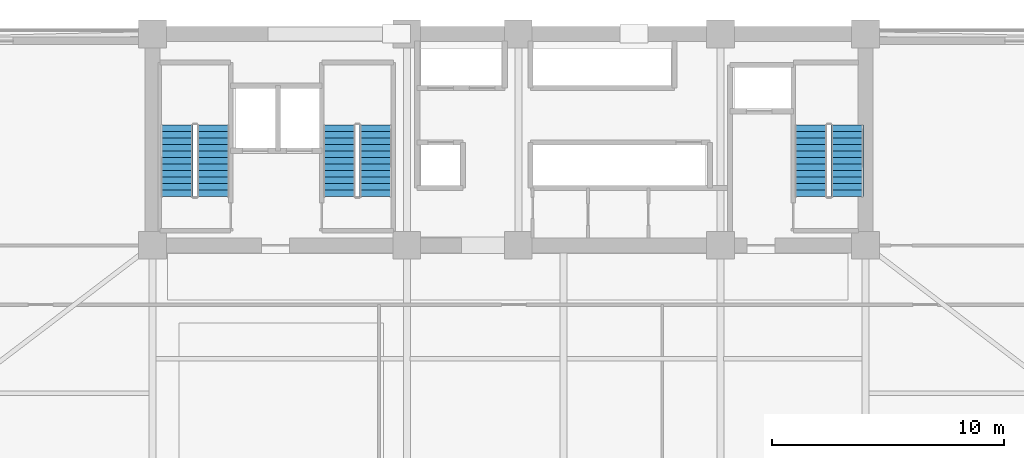
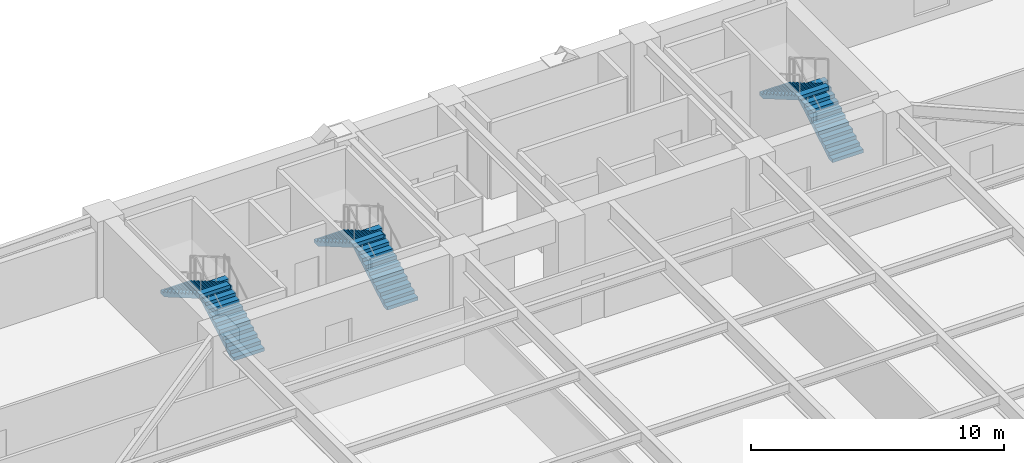
# One storey, part 11 of 17: 6 stair flights, 3 elements without a shape of their own.
"""IFC4 building model written with IfcOpenShell, lengths in metres."""

from ifc_helpers import new_model, si_unit, direction, frame, origin, place, context, subcontext, project, spatial, polyline, outline, extrude, material, type_object, element, aggregate, save


model = new_model("IFC4")

# Units and contexts
model_context = context("Model", 3, precision=1e-05, world=origin(), true_north=direction((0.0, 1.0)))
body_context = subcontext(model_context, "Body", "Model", "MODEL_VIEW")
ifc_project = project(units=[si_unit("LENGTHUNIT", "METRE"), si_unit("AREAUNIT", "SQUARE_METRE"), si_unit("VOLUMEUNIT", "CUBIC_METRE"), si_unit("PLANEANGLEUNIT", "RADIAN"), si_unit("MASSUNIT", "GRAM", prefix="KILO")], contexts=[model_context])

# Site, building, storey
site_placement = place(None, origin())
site = spatial("IfcSite", under=ifc_project, at=site_placement, CompositionType="ELEMENT")
building_placement = place(site_placement, origin())
building = spatial("IfcBuilding", under=site, at=building_placement, Name="Giltprow Tower", CompositionType="ELEMENT")
storey_placement = place(building_placement, frame((0.0, 0.0, 29.300048828125)))
storey = spatial("IfcBuildingStorey", under=building, at=storey_placement, Name="L07", CompositionType="ELEMENT", Elevation=29.300048828125)

# Stair, stair flights
ifc_material = material(Name="Concrete C40", Category="concrete")
stair_type_1 = type_object("IfcStairType", Name="STR-ST-1", PredefinedType="HALF_TURN_STAIR", material=ifc_material)
stair_1_placement = place(storey_placement, origin())
stair_1 = element("IfcStair", 1, at=stair_1_placement, inside=storey, type_object=stair_type_1, Name="L07 Core Exit Stair ST-1", PredefinedType="HALF_TURN_STAIR")
stair_flight_type_1 = type_object("IfcStairFlightType", Name="SFL-ST-1", PredefinedType="STRAIGHT", material=ifc_material)
stair_flight_1_placement = place(storey_placement, frame((22.4599609375, 39.550048828125, 0.0), z_axis=(0.0, 0.0, 1.0), x_axis=(0.0, 1.0, 0.0)))
stair_flight_1 = element("IfcStairFlight", 2, at=stair_flight_1_placement, type_object=stair_flight_type_1, Name="ST-1 flight 1", NumberOfRisers=12, NumberOfTreads=11, PredefinedType="STRAIGHT", RiserHeight=0.1625, TreadLength=0.28, context=body_context, shape_type="SweptSolid", body=[
    extrude(outline(polyline([(0.0, 0.0), (0.0, 0.16259765625), (0.280029296875, 0.16259765625), (0.280029296875, 0.324951171875), (0.56005859375, 0.324951171875), (0.56005859375, 0.487548828125), (0.840087890625, 0.487548828125), (0.840087890625, 0.64990234375), (1.1201171875, 0.64990234375), (1.1201171875, 0.8125), (1.39990234375, 0.8125), (1.39990234375, 0.97509765625), (1.679931640625, 0.97509765625), (1.679931640625, 1.137451171875), (1.9599609375, 1.137451171875), (1.9599609375, 1.300048828125), (2.239990234375, 1.300048828125), (2.239990234375, 1.46240234375), (2.52001953125, 1.46240234375), (2.52001953125, 1.625), (2.800048828125, 1.625), (2.800048828125, 1.78759765625), (3.080078125, 1.78759765625), (3.080078125, 1.949951171875), (3.080078125, 1.6142578125), (0.298583984375, 0.0), (0.0, 0.0)])), frame((0.0, 0.699951171875, 0.0), z_axis=(0.0, -1.0, 0.0), x_axis=(1.0, 0.0, 0.0)), (0.0, 0.0, 1.0), 1.39990234375),
])
stair_flight_2_placement = place(storey_placement, frame((20.89990234375, 42.6298828125, 1.949951171875), z_axis=(0.0, 0.0, 1.0), x_axis=(0.0, -1.0, 0.0)))
stair_flight_2 = element("IfcStairFlight", 3, at=stair_flight_2_placement, type_object=stair_flight_type_1, Name="ST-1 flight 2", NumberOfRisers=12, NumberOfTreads=11, PredefinedType="STRAIGHT", RiserHeight=0.1625, TreadLength=0.28, context=body_context, shape_type="SweptSolid", body=[
    extrude(outline(polyline([(0.0, 0.0), (0.0, 0.16259765625), (0.280029296875, 0.16259765625), (0.280029296875, 0.324951171875), (0.56005859375, 0.324951171875), (0.56005859375, 0.487548828125), (0.840087890625, 0.487548828125), (0.840087890625, 0.64990234375), (1.1201171875, 0.64990234375), (1.1201171875, 0.8125), (1.39990234375, 0.8125), (1.39990234375, 0.97509765625), (1.679931640625, 0.97509765625), (1.679931640625, 1.137451171875), (1.9599609375, 1.137451171875), (1.9599609375, 1.300048828125), (2.239990234375, 1.300048828125), (2.239990234375, 1.46240234375), (2.52001953125, 1.46240234375), (2.52001953125, 1.625), (2.800048828125, 1.625), (2.800048828125, 1.78759765625), (3.080078125, 1.78759765625), (3.080078125, 1.949951171875), (3.080078125, 1.6142578125), (0.298583984375, 0.0), (0.0, 0.0)])), frame((0.0, 0.699951171875, 0.0), z_axis=(0.0, -1.0, 0.0), x_axis=(1.0, 0.0, 0.0)), (0.0, 0.0, 1.0), 1.39990234375),
])
aggregate(stair_1, [stair_flight_1, stair_flight_2])

stair_type_2 = type_object("IfcStairType", Name="STR-ST-2", PredefinedType="HALF_TURN_STAIR", material=ifc_material)
stair_2_placement = place(storey_placement, origin())
stair_2 = element("IfcStair", 4, at=stair_2_placement, inside=storey, type_object=stair_type_2, Name="L07 Core Exit Stair ST-2", PredefinedType="HALF_TURN_STAIR")
stair_flight_type_2 = type_object("IfcStairFlightType", Name="SFL-ST-2", PredefinedType="STRAIGHT", material=ifc_material)
stair_flight_3_placement = place(storey_placement, frame((29.4599609375, 39.550048828125, 0.0), z_axis=(0.0, 0.0, 1.0), x_axis=(0.0, 1.0, 0.0)))
stair_flight_3 = element("IfcStairFlight", 5, at=stair_flight_3_placement, type_object=stair_flight_type_2, Name="ST-2 flight 1", NumberOfRisers=12, NumberOfTreads=11, PredefinedType="STRAIGHT", RiserHeight=0.1625, TreadLength=0.28, context=body_context, shape_type="SweptSolid", body=[
    extrude(outline(polyline([(0.0, 0.0), (0.0, 0.16259765625), (0.280029296875, 0.16259765625), (0.280029296875, 0.324951171875), (0.56005859375, 0.324951171875), (0.56005859375, 0.487548828125), (0.840087890625, 0.487548828125), (0.840087890625, 0.64990234375), (1.1201171875, 0.64990234375), (1.1201171875, 0.8125), (1.39990234375, 0.8125), (1.39990234375, 0.97509765625), (1.679931640625, 0.97509765625), (1.679931640625, 1.137451171875), (1.9599609375, 1.137451171875), (1.9599609375, 1.300048828125), (2.239990234375, 1.300048828125), (2.239990234375, 1.46240234375), (2.52001953125, 1.46240234375), (2.52001953125, 1.625), (2.800048828125, 1.625), (2.800048828125, 1.78759765625), (3.080078125, 1.78759765625), (3.080078125, 1.949951171875), (3.080078125, 1.6142578125), (0.298583984375, 0.0), (0.0, 0.0)])), frame((0.0, 0.699951171875, 0.0), z_axis=(0.0, -1.0, 0.0), x_axis=(1.0, 0.0, 0.0)), (0.0, 0.0, 1.0), 1.39990234375),
])
stair_flight_4_placement = place(storey_placement, frame((27.89990234375, 42.6298828125, 1.949951171875), z_axis=(0.0, 0.0, 1.0), x_axis=(0.0, -1.0, 0.0)))
stair_flight_4 = element("IfcStairFlight", 6, at=stair_flight_4_placement, type_object=stair_flight_type_2, Name="ST-2 flight 2", NumberOfRisers=12, NumberOfTreads=11, PredefinedType="STRAIGHT", RiserHeight=0.1625, TreadLength=0.28, context=body_context, shape_type="SweptSolid", body=[
    extrude(outline(polyline([(0.0, 0.0), (0.0, 0.16259765625), (0.280029296875, 0.16259765625), (0.280029296875, 0.324951171875), (0.56005859375, 0.324951171875), (0.56005859375, 0.487548828125), (0.840087890625, 0.487548828125), (0.840087890625, 0.64990234375), (1.1201171875, 0.64990234375), (1.1201171875, 0.8125), (1.39990234375, 0.8125), (1.39990234375, 0.97509765625), (1.679931640625, 0.97509765625), (1.679931640625, 1.137451171875), (1.9599609375, 1.137451171875), (1.9599609375, 1.300048828125), (2.239990234375, 1.300048828125), (2.239990234375, 1.46240234375), (2.52001953125, 1.46240234375), (2.52001953125, 1.625), (2.800048828125, 1.625), (2.800048828125, 1.78759765625), (3.080078125, 1.78759765625), (3.080078125, 1.949951171875), (3.080078125, 1.6142578125), (0.298583984375, 0.0), (0.0, 0.0)])), frame((0.0, 0.699951171875, 0.0), z_axis=(0.0, -1.0, 0.0), x_axis=(1.0, 0.0, 0.0)), (0.0, 0.0, 1.0), 1.39990234375),
])
aggregate(stair_2, [stair_flight_3, stair_flight_4])

stair_type_3 = type_object("IfcStairType", Name="STR-ST-3", PredefinedType="HALF_TURN_STAIR", material=ifc_material)
stair_3_placement = place(storey_placement, origin())
stair_3 = element("IfcStair", 7, at=stair_3_placement, inside=storey, type_object=stair_type_3, Name="L07 Core Exit Stair ST-3", PredefinedType="HALF_TURN_STAIR")
stair_flight_type_3 = type_object("IfcStairFlightType", Name="SFL-ST-3", PredefinedType="STRAIGHT", material=ifc_material)
stair_flight_5_placement = place(storey_placement, frame((49.760009765625, 39.550048828125, 0.0), z_axis=(0.0, 0.0, 1.0), x_axis=(0.0, 1.0, 0.0)))
stair_flight_5 = element("IfcStairFlight", 8, at=stair_flight_5_placement, type_object=stair_flight_type_3, Name="ST-3 flight 1", NumberOfRisers=12, NumberOfTreads=11, PredefinedType="STRAIGHT", RiserHeight=0.1625, TreadLength=0.28, context=body_context, shape_type="SweptSolid", body=[
    extrude(outline(polyline([(0.0, 0.0), (0.0, 0.16259765625), (0.280029296875, 0.16259765625), (0.280029296875, 0.324951171875), (0.56005859375, 0.324951171875), (0.56005859375, 0.487548828125), (0.840087890625, 0.487548828125), (0.840087890625, 0.64990234375), (1.1201171875, 0.64990234375), (1.1201171875, 0.8125), (1.39990234375, 0.8125), (1.39990234375, 0.97509765625), (1.679931640625, 0.97509765625), (1.679931640625, 1.137451171875), (1.9599609375, 1.137451171875), (1.9599609375, 1.300048828125), (2.239990234375, 1.300048828125), (2.239990234375, 1.46240234375), (2.52001953125, 1.46240234375), (2.52001953125, 1.625), (2.800048828125, 1.625), (2.800048828125, 1.78759765625), (3.080078125, 1.78759765625), (3.080078125, 1.949951171875), (3.080078125, 1.6142578125), (0.298583984375, 0.0), (0.0, 0.0)])), frame((0.0, 0.699951171875, 0.0), z_axis=(0.0, -1.0, 0.0), x_axis=(1.0, 0.0, 0.0)), (0.0, 0.0, 1.0), 1.39990234375),
])
stair_flight_6_placement = place(storey_placement, frame((48.199951171875, 42.6298828125, 1.949951171875), z_axis=(0.0, 0.0, 1.0), x_axis=(0.0, -1.0, 0.0)))
stair_flight_6 = element("IfcStairFlight", 9, at=stair_flight_6_placement, type_object=stair_flight_type_3, Name="ST-3 flight 2", NumberOfRisers=12, NumberOfTreads=11, PredefinedType="STRAIGHT", RiserHeight=0.1625, TreadLength=0.28, context=body_context, shape_type="SweptSolid", body=[
    extrude(outline(polyline([(0.0, 0.0), (0.0, 0.16259765625), (0.280029296875, 0.16259765625), (0.280029296875, 0.324951171875), (0.56005859375, 0.324951171875), (0.56005859375, 0.487548828125), (0.840087890625, 0.487548828125), (0.840087890625, 0.64990234375), (1.1201171875, 0.64990234375), (1.1201171875, 0.8125), (1.39990234375, 0.8125), (1.39990234375, 0.97509765625), (1.679931640625, 0.97509765625), (1.679931640625, 1.137451171875), (1.9599609375, 1.137451171875), (1.9599609375, 1.300048828125), (2.239990234375, 1.300048828125), (2.239990234375, 1.46240234375), (2.52001953125, 1.46240234375), (2.52001953125, 1.625), (2.800048828125, 1.625), (2.800048828125, 1.78759765625), (3.080078125, 1.78759765625), (3.080078125, 1.949951171875), (3.080078125, 1.6142578125), (0.298583984375, 0.0), (0.0, 0.0)])), frame((0.0, 0.699951171875, 0.0), z_axis=(0.0, -1.0, 0.0), x_axis=(1.0, 0.0, 0.0)), (0.0, 0.0, 1.0), 1.39990234375),
])
aggregate(stair_3, [stair_flight_5, stair_flight_6])

save(model, "model.ifc")
